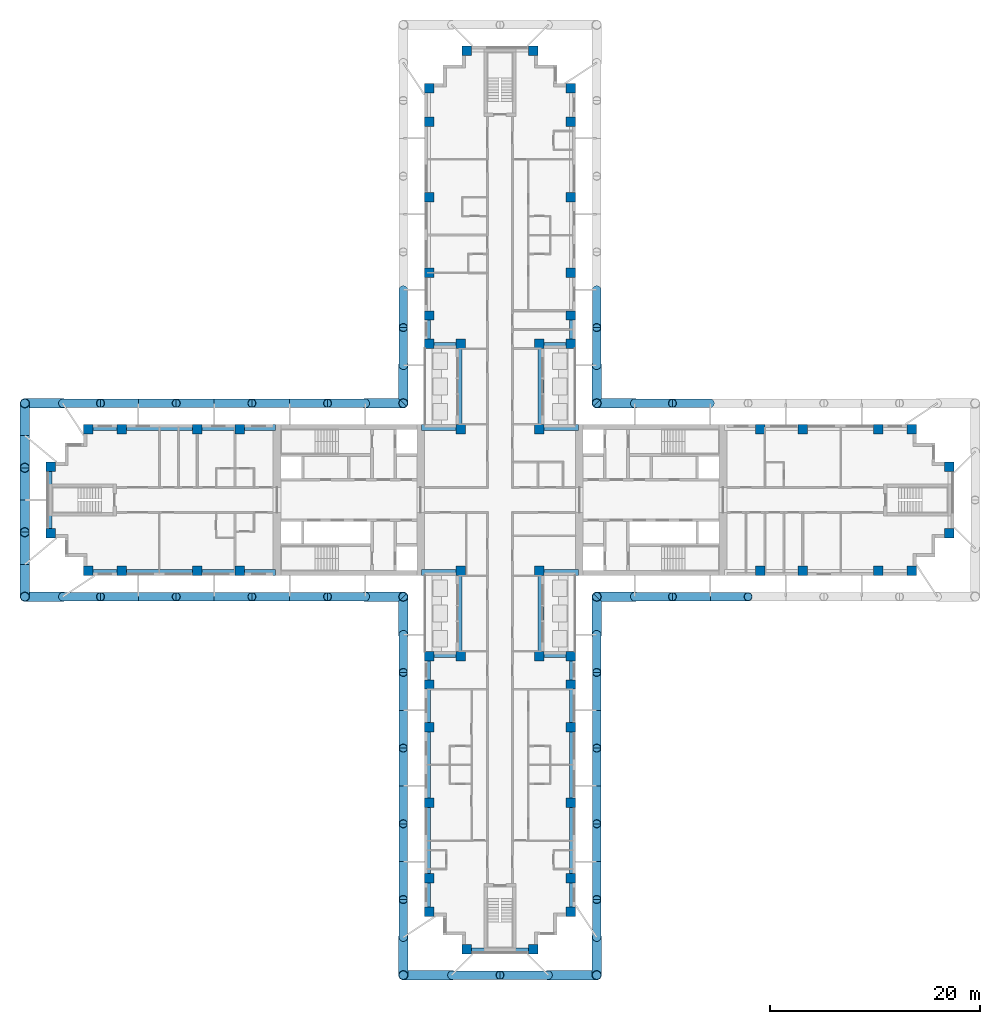
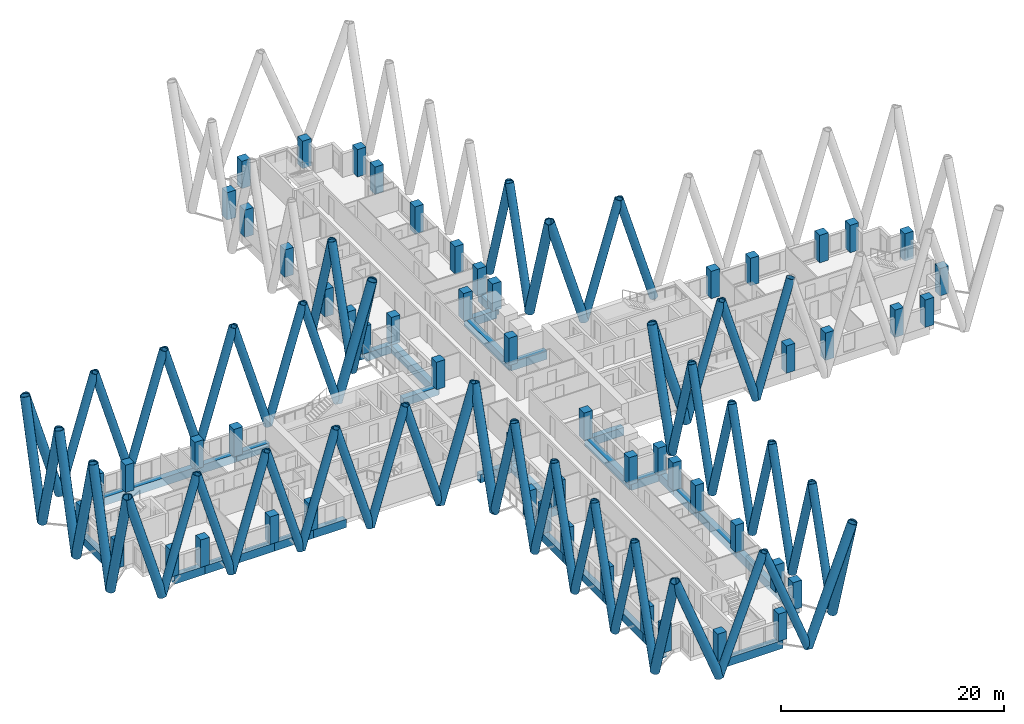
# One storey, part 1 of 16: 63 members, 56 columns, 34 beams.
"""IFC4 building model written with IfcOpenShell, lengths in metres."""

import ifcopenshell
import ifcopenshell.guid

model = None  # the IFC model being written
_history = None  # IfcOwnerHistory: only IFC2X3 demands one
_inside = {}  # id of a spatial element -> (the spatial element, [elements in it])
_under = {}  # id of a project, library or spatial element -> (it, [spatial elements below it])
_declared = {}  # id of a project -> (the project, [libraries it declares])
_typed = {}  # id of a type object -> (the type object, [elements of that type])
_made_of = {}  # id of a material, layer set ... -> (it, [elements and type objects made of it])


def new_model(schema):
    """Start an empty IFC model of exactly this schema.

    Asked for "IFC4X3", IfcOpenShell would pick the latest addendum, in which some entities
    have other attributes; the version numbers below select the first issue.
    IFC2X3 requires an IfcOwnerHistory on every rooted entity: one is made here for all.
    """
    global model, _history
    if schema == "IFC4X3":
        model = ifcopenshell.file(schema_version=(4, 3, 0, 0))
    else:
        model = ifcopenshell.file(schema=schema)
    _inside.clear()
    _under.clear()
    _declared.clear()
    _typed.clear()
    _made_of.clear()
    _history = None
    if model.schema == "IFC2X3":
        org = make("IfcOrganization", Name="unknown")
        user = make(
            "IfcPersonAndOrganization",
            ThePerson=make("IfcPerson", FamilyName="unknown"),
            TheOrganization=org,
        )
        app = make(
            "IfcApplication",
            ApplicationDeveloper=org,
            Version="unknown",
            ApplicationFullName="unknown",
            ApplicationIdentifier="unknown",
        )
        _history = make(
            "IfcOwnerHistory",
            OwningUser=user,
            OwningApplication=app,
            ChangeAction="ADDED",
            CreationDate=0,
        )
    return model


def make(cls, **values):
    """One entity of the class cls with the attributes given. An attribute that is None is left unset."""
    return model.create_entity(
        cls, **{name: value for name, value in values.items() if value is not None}
    )


def rooted(cls, **values):
    """An entity with a GlobalId (a new one), such as an element, a storey or a relation."""
    return make(cls, GlobalId=ifcopenshell.guid.new(), OwnerHistory=_history, **values)


def si_unit(unit_type, name, prefix=None):
    """IfcSIUnit, for example si_unit("LENGTHUNIT", "METRE", prefix="MILLI")."""
    return make("IfcSIUnit", UnitType=unit_type, Prefix=prefix, Name=name)


def assignment(units):
    """IfcUnitAssignment: the units of a project."""
    return None if units is None else make("IfcUnitAssignment", Units=units)


def point(xyz):
    """IfcCartesianPoint."""
    return None if xyz is None else make("IfcCartesianPoint", Coordinates=xyz)


def direction(xyz):
    """IfcDirection."""
    return None if xyz is None else make("IfcDirection", DirectionRatios=xyz)


def frame(location, z_axis=None, x_axis=None):
    """IfcAxis2Placement3D, a coordinate frame: its origin and axes. An axis left out is left unset."""
    return make(
        "IfcAxis2Placement3D",
        Location=point(location),
        Axis=direction(z_axis),
        RefDirection=direction(x_axis),
    )


def frame_2d(location, x_axis=None):
    """IfcAxis2Placement2D, a coordinate frame in the plane: its origin and x axis."""
    return make(
        "IfcAxis2Placement2D", Location=point(location), RefDirection=direction(x_axis)
    )


def origin():
    """The frame at (0, 0, 0) with its axes left unset."""
    return frame((0.0, 0.0, 0.0))


def origin_2d():
    """The frame at (0, 0) in the plane with its x axis left unset."""
    return frame_2d((0.0, 0.0))


def place(relative_to, where):
    """IfcLocalPlacement: puts the frame where relative to a parent placement (None: the world)."""
    return make(
        "IfcLocalPlacement", PlacementRelTo=relative_to, RelativePlacement=where
    )


def context(
    kind, dimensions, precision=None, world=None, true_north=None, identifier=None
):
    """IfcGeometricRepresentationContext, for example the 3D "Model" context."""
    return make(
        "IfcGeometricRepresentationContext",
        ContextIdentifier=identifier,
        ContextType=kind,
        CoordinateSpaceDimension=dimensions,
        Precision=precision,
        WorldCoordinateSystem=world,
        TrueNorth=true_north,
    )


def subcontext(parent, identifier, kind, view, scale=None):
    """IfcGeometricRepresentationSubContext, for example "Body" below "Model"."""
    return make(
        "IfcGeometricRepresentationSubContext",
        ContextIdentifier=identifier,
        ContextType=kind,
        ParentContext=parent,
        TargetScale=scale,
        TargetView=view,
    )


def project(units=None, contexts=None):
    """IfcProject with its units and contexts."""
    return rooted(
        "IfcProject",
        Name="project",
        RepresentationContexts=contexts,
        UnitsInContext=assignment(units),
    )


def spatial(cls, under=None, at=None, **own):
    """A site, building, storey or space (cls), placed at a placement, below another one or the project."""
    s = rooted(cls, ObjectPlacement=at, **own)
    if under is not None:
        _under.setdefault(under.id(), (under, []))[1].append(s)
    return s


def profile(cls, at=None, kind="AREA", **sizes):
    """A parametric profile (cls). Its sizes go by their IFC names, for example OverallWidth=200.0."""
    return make(cls, ProfileType=kind, Position=at, **sizes)


def rectangle(**sizes):
    """IfcRectangleProfileDef."""
    return profile("IfcRectangleProfileDef", **sizes)


def hollow_circle(**sizes):
    """IfcCircleHollowProfileDef."""
    return profile("IfcCircleHollowProfileDef", **sizes)


def extrude(swept, where, along, depth):
    """IfcExtrudedAreaSolid: the profile swept, set in the frame where, extruded along a direction by depth."""
    return make(
        "IfcExtrudedAreaSolid",
        SweptArea=swept,
        Position=where,
        ExtrudedDirection=direction(along),
        Depth=depth,
    )


def shape(context_of_items, identifier, shape_type, items):
    """IfcShapeRepresentation: the items that make up one representation, for example the "Body"."""
    return make(
        "IfcShapeRepresentation",
        ContextOfItems=context_of_items,
        RepresentationIdentifier=identifier,
        RepresentationType=shape_type,
        Items=items,
    )


def material(Name=None, Category=None):
    """IfcMaterial."""
    return make("IfcMaterial", Name=Name, Category=Category)


def material_profile(
    of_material, cross_section, Name=None, Category=None, Priority=None
):
    """IfcMaterialProfile: a cross section and its material."""
    return make(
        "IfcMaterialProfile",
        Name=Name,
        Material=of_material,
        Profile=cross_section,
        Priority=Priority,
        Category=Category,
    )


def profile_set(profiles, Name=None, composite=None):
    """IfcMaterialProfileSet."""
    return make(
        "IfcMaterialProfileSet",
        Name=Name,
        MaterialProfiles=profiles,
        CompositeProfile=composite,
    )


def made_of(thing, what):
    """Note that an element or type object is made of a material, layer set ...; save() writes the relation."""
    if what is not None:
        _made_of.setdefault(what.id(), (what, []))[1].append(thing)
    return thing


def type_object(cls, material=None, **own):
    """A type object (cls), such as IfcWallType, which elements share."""
    return made_of(rooted(cls, **own), material)


def element(
    cls,
    number,
    at=None,
    inside=None,
    cuts=None,
    type_object=None,
    material=None,
    context=None,
    identifier="Body",
    shape_type=None,
    held_by="IfcProductDefinitionShape",
    body=None,
    shapes=None,
    **own,
):
    """One element of the class cls, such as IfcWall. Its Tag is "e" and its number.

    at: its placement. inside: the storey or other place that contains it. cuts: it is an
    opening in that element (IfcRelVoidsElement). A single representation is given by context,
    identifier, shape_type and body (its items); several are given by shapes. held_by: the class
    of the entity that holds the representations. save() writes the other relations.
    """
    e = rooted(cls, Tag="e%d" % number, ObjectPlacement=at, **own)
    if body is not None:
        shapes = [shape(context, identifier, shape_type, body)]
    if shapes is not None:
        e.Representation = make(held_by, Representations=shapes)
    if inside is not None:
        _inside.setdefault(inside.id(), (inside, []))[1].append(e)
    if cuts is not None:
        rooted(
            "IfcRelVoidsElement", RelatingBuildingElement=cuts, RelatedOpeningElement=e
        )
    if type_object is not None:
        _typed.setdefault(type_object.id(), (type_object, []))[1].append(e)
    return made_of(e, material)


def aggregate(whole, parts):
    """IfcRelAggregates: a whole, such as a stair, and the parts it consists of."""
    return rooted("IfcRelAggregates", RelatingObject=whole, RelatedObjects=parts)


def save(model, path):
    """Write the relations noted so far, then the file.

    IfcRelAggregates (storeys below a building ...), IfcRelContainedInSpatialStructure (elements
    in a storey), IfcRelDefinesByType, IfcRelAssociatesMaterial and IfcRelDeclares: one each for
    every whole, place, type object, material and project.
    """
    for whole, parts in _under.values():
        aggregate(whole, parts)
    for where, things in _inside.values():
        rooted(
            "IfcRelContainedInSpatialStructure",
            RelatedElements=things,
            RelatingStructure=where,
        )
    for kind, things in _typed.values():
        rooted("IfcRelDefinesByType", RelatedObjects=things, RelatingType=kind)
    for what, things in _made_of.values():
        rooted("IfcRelAssociatesMaterial", RelatedObjects=things, RelatingMaterial=what)
    for by, libraries in _declared.values():
        rooted("IfcRelDeclares", RelatingContext=by, RelatedDefinitions=libraries)
    model.write(path)


model = new_model("IFC4")

# Units and contexts
model_context = context("Model", 3, precision=1e-05, world=origin(), true_north=direction((0.0, 1.0)))
body_context = subcontext(model_context, "Body", "Model", "MODEL_VIEW")
ifc_project = project(units=[si_unit("LENGTHUNIT", "METRE"), si_unit("AREAUNIT", "SQUARE_METRE"), si_unit("VOLUMEUNIT", "CUBIC_METRE"), si_unit("PLANEANGLEUNIT", "RADIAN"), si_unit("MASSUNIT", "GRAM", prefix="KILO")], contexts=[model_context])

# Site, building, storey
site_placement = place(None, origin())
site = spatial("IfcSite", under=ifc_project, at=site_placement, CompositionType="ELEMENT")
building_placement = place(site_placement, origin())
building = spatial("IfcBuilding", under=site, at=building_placement, Name="Fustian Cross Tower", CompositionType="ELEMENT")
storey_placement = place(building_placement, frame((0.0, 0.0, 44.699951171875)))
storey = spatial("IfcBuildingStorey", under=building, at=storey_placement, Name="L13", CompositionType="ELEMENT", Elevation=44.699951171875)

# Columns
ifc_material_1 = material(Name="Concrete C70/85", Category="concrete")
ifc_material_profile_1 = material_profile(ifc_material_1, rectangle(XDim=0.89990234375, YDim=0.89990234375, at=origin_2d()), Name="RC 900x900")
ifc_profile_set_1 = profile_set([ifc_material_profile_1], Name="Concrete C70/85")
column_type = type_object("IfcColumnType", Name="COLUMN RC 900x900 C70/85", PredefinedType="COLUMN", material=ifc_profile_set_1)
for number, where, z_axis, x_axis, name in (
    (1, (-42.75, -3.14990234375, 0.0), (0.0, 0.0, 1.0), (1.0, 0.0, 0.0), "COLUMN 001"),
    (2, (-42.75, 3.14990234375, 0.0), (0.0, 0.0, 1.0), (1.0, 0.0, 0.0), "COLUMN 002"),
    (3, (-39.14990234375, -6.75, 0.0), (0.0, 0.0, 1.0), (1.0, 0.0, 0.0), "COLUMN 003"),
    (4, (-39.14990234375, 6.75, 0.0), (0.0, 0.0, 1.0), (1.0, 0.0, 0.0), "COLUMN 004"),
    (5, (-36.0, -6.75, 0.0), (0.0, 0.0, 1.0), (1.0, 0.0, 0.0), "COLUMN 005"),
    (6, (-36.0, 6.75, 0.0), (0.0, 0.0, 1.0), (1.0, 0.0, 0.0), "COLUMN 006"),
    (7, (-28.800048828125, -6.75, 0.0), (0.0, 0.0, 1.0), (1.0, 0.0, 0.0), "COLUMN 007"),
    (8, (-28.800048828125, 6.75, 0.0), (0.0, 0.0, 1.0), (1.0, 0.0, 0.0), "COLUMN 010"),
    (9, (-24.75, -6.75, 0.0), (0.0, 0.0, 1.0), (1.0, 0.0, 0.0), "COLUMN 011"),
    (10, (-24.75, 6.75, 0.0), (0.0, 0.0, 1.0), (1.0, 0.0, 0.0), "COLUMN 012"),
    (11, (-6.75, -39.14990234375, 0.0), (0.0, 0.0, 1.0), (1.0, 0.0, 0.0), "COLUMN 013"),
    (12, (-6.75, -36.0, 0.0), (0.0, 0.0, 1.0), (1.0, 0.0, 0.0), "COLUMN 014"),
    (13, (-6.75, -28.800048828125, 0.0), (0.0, 0.0, 1.0), (1.0, 0.0, 0.0), "COLUMN 015"),
    (14, (-6.75, -21.60009765625, 0.0), (0.0, 0.0, 1.0), (1.0, 0.0, 0.0), "COLUMN 016"),
    (15, (-6.75, -17.550048828125, 0.0), (0.0, 0.0, 1.0), (1.0, 0.0, 0.0), "COLUMN 017"),
    (16, (-6.75, -14.85009765625, 0.0), (0.0, 0.0, 1.0), (1.0, 0.0, 0.0), "COLUMN 018"),
    (17, (-6.75, 14.85009765625, 0.0), (0.0, 0.0, 1.0), (1.0, 0.0, 0.0), "COLUMN 019"),
    (18, (-6.75, 17.550048828125, 0.0), (0.0, 0.0, 1.0), (1.0, 0.0, 0.0), "COLUMN 020"),
    (19, (-6.75, 21.60009765625, 0.0), (0.0, 0.0, 1.0), (1.0, 0.0, 0.0), "COLUMN 021"),
    (20, (-6.75, 28.800048828125, 0.0), (0.0, 0.0, 1.0), (1.0, 0.0, 0.0), "COLUMN 022"),
    (21, (-6.75, 36.0, 0.0), (0.0, 0.0, 1.0), (1.0, 0.0, 0.0), "COLUMN 023"),
    (22, (-6.75, 39.14990234375, 0.0), (0.0, 0.0, 1.0), (1.0, 0.0, 0.0), "COLUMN 024"),
    (23, (-3.75, -14.85009765625, 0.0), (0.0, 0.0, 1.0), (1.0, 0.0, 0.0), "COLUMN 025"),
    (24, (-3.75, -6.75, 0.0), (0.0, 0.0, 1.0), (1.0, 0.0, 0.0), "COLUMN 026"),
    (25, (-3.75, 6.75, 0.0), (0.0, 0.0, 1.0), (1.0, 0.0, 0.0), "COLUMN 027"),
    (26, (-3.75, 14.85009765625, 0.0), (0.0, 0.0, 1.0), (1.0, 0.0, 0.0), "COLUMN 028"),
    (27, (-3.14990234375, -42.75, 0.0), (0.0, 0.0, 1.0), (1.0, 0.0, 0.0), "COLUMN 029"),
    (28, (-3.14990234375, 42.75, 0.0), (0.0, 0.0, 1.0), (1.0, 0.0, 0.0), "COLUMN 032"),
    (29, (3.14990234375, -42.75, 0.0), (0.0, 0.0, 1.0), (1.0, 0.0, 0.0), "COLUMN 033"),
    (30, (3.14990234375, 42.75, 0.0), (0.0, 0.0, 1.0), (1.0, 0.0, 0.0), "COLUMN 036"),
    (31, (3.75, -14.85009765625, 0.0), (0.0, 0.0, 1.0), (1.0, 0.0, 0.0), "COLUMN 037"),
    (32, (3.75, -6.75, 0.0), (0.0, 0.0, 1.0), (1.0, 0.0, 0.0), "COLUMN 038"),
    (33, (3.75, 6.75, 0.0), (0.0, 0.0, 1.0), (1.0, 0.0, 0.0), "COLUMN 039"),
    (34, (3.75, 14.85009765625, 0.0), (0.0, 0.0, 1.0), (1.0, 0.0, 0.0), "COLUMN 040"),
    (35, (6.75, -39.14990234375, 0.0), (0.0, 0.0, 1.0), (1.0, 0.0, 0.0), "COLUMN 041"),
    (36, (6.75, -36.0, 0.0), (0.0, 0.0, 1.0), (1.0, 0.0, 0.0), "COLUMN 042"),
    (37, (6.75, -28.800048828125, 0.0), (0.0, 0.0, 1.0), (1.0, 0.0, 0.0), "COLUMN 043"),
    (38, (6.75, -21.60009765625, 0.0), (0.0, 0.0, 1.0), (1.0, 0.0, 0.0), "COLUMN 044"),
    (39, (6.75, -17.550048828125, 0.0), (0.0, 0.0, 1.0), (1.0, 0.0, 0.0), "COLUMN 045"),
    (40, (6.75, -14.85009765625, 0.0), (0.0, 0.0, 1.0), (1.0, 0.0, 0.0), "COLUMN 046"),
    (41, (6.75, 14.85009765625, 0.0), (0.0, 0.0, 1.0), (1.0, 0.0, 0.0), "COLUMN 047"),
    (42, (6.75, 17.550048828125, 0.0), (0.0, 0.0, 1.0), (1.0, 0.0, 0.0), "COLUMN 048"),
    (43, (6.75, 21.60009765625, 0.0), (0.0, 0.0, 1.0), (1.0, 0.0, 0.0), "COLUMN 049"),
    (44, (6.75, 28.800048828125, 0.0), (0.0, 0.0, 1.0), (1.0, 0.0, 0.0), "COLUMN 050"),
    (45, (6.75, 36.0, 0.0), (0.0, 0.0, 1.0), (1.0, 0.0, 0.0), "COLUMN 051"),
    (46, (6.75, 39.14990234375, 0.0), (0.0, 0.0, 1.0), (1.0, 0.0, 0.0), "COLUMN 052"),
    (47, (24.75, -6.75, 0.0), (0.0, 0.0, 1.0), (1.0, 0.0, 0.0), "COLUMN 053"),
    (48, (24.75, 6.75, 0.0), (0.0, 0.0, 1.0), (1.0, 0.0, 0.0), "COLUMN 054"),
    (49, (28.800048828125, -6.75, 0.0), (0.0, 0.0, 1.0), (1.0, 0.0, 0.0), "COLUMN 055"),
    (50, (28.800048828125, 6.75, 0.0), (0.0, 0.0, 1.0), (1.0, 0.0, 0.0), "COLUMN 058"),
    (51, (36.0, -6.75, 0.0), (0.0, 0.0, 1.0), (1.0, 0.0, 0.0), "COLUMN 059"),
    (52, (36.0, 6.75, 0.0), (0.0, 0.0, 1.0), (1.0, 0.0, 0.0), "COLUMN 060"),
    (53, (39.14990234375, -6.75, 0.0), (0.0, 0.0, 1.0), (1.0, 0.0, 0.0), "COLUMN 061"),
    (54, (39.14990234375, 6.75, 0.0), (0.0, 0.0, 1.0), (1.0, 0.0, 0.0), "COLUMN 062"),
    (55, (42.75, -3.14990234375, 0.0), (0.0, 0.0, 1.0), (1.0, 0.0, 0.0), "COLUMN 063"),
    (56, (42.75, 3.14990234375, 0.0), (0.0, 0.0, 1.0), (1.0, 0.0, 0.0), "COLUMN 064"),
):
    element("IfcColumn", number, at=place(storey_placement, frame(where, z_axis=z_axis, x_axis=x_axis)), inside=storey, type_object=column_type, Name=name, PredefinedType="COLUMN", context=body_context, shape_type="SweptSolid", body=[
        extrude(rectangle(XDim=0.89990234375, YDim=0.89990234375, at=origin_2d()), origin(), (0.0, 0.0, 1.0), 3.0),
    ])

# Members
ifc_material_2 = material(Name="Steel S355", Category="steel")
ifc_material_profile_2 = material_profile(ifc_material_2, hollow_circle(Radius=0.406494140625, WallThickness=0.0400390625, at=origin_2d()), Name="CHS 813x40")
ifc_profile_set_2 = profile_set([ifc_material_profile_2], Name="Steel S355")
member_type_1 = type_object("IfcMemberType", Name="DIAGRID DIAGONAL CHS 813x40", PredefinedType="BRACE", material=ifc_profile_set_2)
for number, where, z_axis, x_axis, name in (
    (57, (12.800048828125, -9.199951171875, 0.0), (0.287337158709, 0.0, 0.957829503213), (0.0, 1.0, 0.0), "Diagrid diagonal E-S 02"),
    (58, (20.0, -9.199951171875, 0.0), (-0.287355036744, 0.0, 0.957824139839), (0.0, -1.0, 0.0), "Diagrid diagonal E-S 03"),
    (59, (20.0, -9.199951171875, 0.0), (0.287355036744, 0.0, 0.957824139839), (0.0, 1.0, 0.0), "Diagrid diagonal E-S 04"),
    (60, (20.0, 9.199951171875, 0.0), (-0.287355036744, 0.0, 0.957824139839), (0.0, -1.0, 0.0), "Diagrid diagonal E-N 08"),
    (61, (12.800048828125, 9.199951171875, 0.0), (0.287337158709, 0.0, 0.957829503213), (0.0, 1.0, 0.0), "Diagrid diagonal E-N 09"),
    (62, (9.199951171875, 12.800048828125, 0.0), (0.0, 0.287337158709, 0.957829503213), (-1.0, 0.0, 0.0), "Diagrid diagonal N-E 02"),
    (63, (9.199951171875, 20.0, 0.0), (0.0, -0.287355036744, 0.957824139839), (1.0, 0.0, 0.0), "Diagrid diagonal N-E 03"),
    (64, (-9.199951171875, 20.0, 0.0), (0.0, -0.287355036744, 0.957824139839), (1.0, 0.0, 0.0), "Diagrid diagonal N-W 08"),
    (65, (-9.199951171875, 12.800048828125, 0.0), (0.0, 0.287337158709, 0.957829503213), (-1.0, 0.0, 0.0), "Diagrid diagonal N-W 09"),
    (66, (-12.800048828125, 9.199951171875, 0.0), (-0.287337158709, 0.0, 0.957829503213), (0.0, -1.0, 0.0), "Diagrid diagonal W-N 02"),
    (67, (-20.0, 9.199951171875, 0.0), (0.287355036744, 0.0, 0.957824139839), (0.0, 1.0, 0.0), "Diagrid diagonal W-N 03"),
    (68, (-20.0, 9.199951171875, 0.0), (-0.287355036744, 0.0, 0.957824139839), (0.0, -1.0, 0.0), "Diagrid diagonal W-N 04"),
    (69, (-27.199951171875, 9.199951171875, 0.0), (0.287337158709, 0.0, 0.957829503213), (0.0, 1.0, 0.0), "Diagrid diagonal W-N 05"),
    (70, (-27.199951171875, 9.199951171875, 0.0), (-0.287355036744, 0.0, 0.957824139839), (0.0, -1.0, 0.0), "Diagrid diagonal W-N 06"),
    (71, (-34.39990234375, 9.199951171875, 0.0), (0.287337158709, 0.0, 0.957829503213), (0.0, 1.0, 0.0), "Diagrid diagonal W-N 07"),
    (72, (-34.39990234375, 9.199951171875, 0.0), (-0.287355036744, 0.0, 0.957824139839), (0.0, -1.0, 0.0), "Diagrid diagonal W-N 08"),
    (73, (-41.60009765625, 9.199951171875, 0.0), (0.287355036744, 0.0, 0.957824139839), (0.0, 1.0, 0.0), "Diagrid diagonal W-N 09"),
    (74, (-41.60009765625, -9.199951171875, 0.0), (0.287355036744, 0.0, 0.957824139839), (0.0, 1.0, 0.0), "Diagrid diagonal W-S 02"),
    (75, (-34.39990234375, -9.199951171875, 0.0), (-0.287355036744, 0.0, 0.957824139839), (0.0, -1.0, 0.0), "Diagrid diagonal W-S 03"),
    (76, (-34.39990234375, -9.199951171875, 0.0), (0.287337158709, 0.0, 0.957829503213), (0.0, 1.0, 0.0), "Diagrid diagonal W-S 04"),
    (77, (-27.199951171875, -9.199951171875, 0.0), (-0.287355036744, 0.0, 0.957824139839), (0.0, -1.0, 0.0), "Diagrid diagonal W-S 05"),
    (78, (-27.199951171875, -9.199951171875, 0.0), (0.287337158709, 0.0, 0.957829503213), (0.0, 1.0, 0.0), "Diagrid diagonal W-S 06"),
    (79, (-20.0, -9.199951171875, 0.0), (-0.287355036744, 0.0, 0.957824139839), (0.0, -1.0, 0.0), "Diagrid diagonal W-S 07"),
    (80, (-20.0, -9.199951171875, 0.0), (0.287355036744, 0.0, 0.957824139839), (0.0, 1.0, 0.0), "Diagrid diagonal W-S 08"),
    (81, (-12.800048828125, -9.199951171875, 0.0), (-0.287337158709, 0.0, 0.957829503213), (0.0, -1.0, 0.0), "Diagrid diagonal W-S 09"),
    (82, (-9.199951171875, -12.800048828125, 0.0), (0.0, -0.287337158709, 0.957829503213), (1.0, 0.0, 0.0), "Diagrid diagonal S-W 02"),
    (83, (-9.199951171875, -20.0, 0.0), (0.0, 0.287355036744, 0.957824139839), (-1.0, 0.0, 0.0), "Diagrid diagonal S-W 03"),
    (84, (-9.199951171875, -20.0, 0.0), (0.0, -0.287355036744, 0.957824139839), (1.0, 0.0, 0.0), "Diagrid diagonal S-W 04"),
    (85, (-9.199951171875, -27.199951171875, 0.0), (0.0, 0.287337158709, 0.957829503213), (-1.0, 0.0, 0.0), "Diagrid diagonal S-W 05"),
    (86, (-9.199951171875, -27.199951171875, 0.0), (0.0, -0.287355036744, 0.957824139839), (1.0, 0.0, 0.0), "Diagrid diagonal S-W 06"),
    (87, (-9.199951171875, -34.39990234375, 0.0), (0.0, 0.287337158709, 0.957829503213), (-1.0, 0.0, 0.0), "Diagrid diagonal S-W 07"),
    (88, (-9.199951171875, -34.39990234375, 0.0), (0.0, -0.287355036744, 0.957824139839), (1.0, 0.0, 0.0), "Diagrid diagonal S-W 08"),
    (89, (-9.199951171875, -41.60009765625, 0.0), (0.0, 0.287355036744, 0.957824139839), (-1.0, 0.0, 0.0), "Diagrid diagonal S-W 09"),
):
    element("IfcMember", number, at=place(storey_placement, frame(where, z_axis=z_axis, x_axis=x_axis)), inside=storey, type_object=member_type_1, Name=name, PredefinedType="BRACE", context=body_context, shape_type="SweptSolid", body=[
        extrude(hollow_circle(Radius=0.406494140625, WallThickness=0.0400390625, at=origin_2d()), origin(), (0.0, 0.0, 1.0), 12.5283203125),
    ])
for number, where, z_axis, x_axis, name in (
    (90, (-4.60009765625, -45.199951171875, 0.0), (0.3579426369, 0.0, 0.933743577589), (0.0, 1.0, 0.0), "Diagrid diagonal S-end 02"),
    (91, (4.60009765625, -45.199951171875, 0.0), (-0.3579426369, 0.0, 0.933743577589), (0.0, -1.0, 0.0), "Diagrid diagonal S-end 03"),
):
    element("IfcMember", number, at=place(storey_placement, frame(where, z_axis=z_axis, x_axis=x_axis)), inside=storey, type_object=member_type_1, Name=name, PredefinedType="BRACE", context=body_context, shape_type="SweptSolid", body=[
        extrude(hollow_circle(Radius=0.406494140625, WallThickness=0.0400390625, at=origin_2d()), origin(), (0.0, 0.0, 1.0), 12.8515625),
    ])
for number, where, z_axis, x_axis, name in (
    (92, (9.199951171875, -41.60009765625, 0.0), (0.0, 0.287355036744, 0.957824139839), (-1.0, 0.0, 0.0), "Diagrid diagonal S-E 02"),
    (93, (9.199951171875, -34.39990234375, 0.0), (0.0, -0.287355036744, 0.957824139839), (1.0, 0.0, 0.0), "Diagrid diagonal S-E 03"),
    (94, (9.199951171875, -34.39990234375, 0.0), (0.0, 0.287337158709, 0.957829503213), (-1.0, 0.0, 0.0), "Diagrid diagonal S-E 04"),
    (95, (9.199951171875, -27.199951171875, 0.0), (0.0, -0.287355036744, 0.957824139839), (1.0, 0.0, 0.0), "Diagrid diagonal S-E 05"),
    (96, (9.199951171875, -27.199951171875, 0.0), (0.0, 0.287337158709, 0.957829503213), (-1.0, 0.0, 0.0), "Diagrid diagonal S-E 06"),
    (97, (9.199951171875, -20.0, 0.0), (0.0, -0.287355036744, 0.957824139839), (1.0, 0.0, 0.0), "Diagrid diagonal S-E 07"),
    (98, (9.199951171875, -20.0, 0.0), (0.0, 0.287355036744, 0.957824139839), (-1.0, 0.0, 0.0), "Diagrid diagonal S-E 08"),
    (99, (9.199951171875, -12.800048828125, 0.0), (0.0, -0.287337158709, 0.957829503213), (1.0, 0.0, 0.0), "Diagrid diagonal S-E 09"),
):
    element("IfcMember", number, at=place(storey_placement, frame(where, z_axis=z_axis, x_axis=x_axis)), inside=storey, type_object=member_type_1, Name=name, PredefinedType="BRACE", context=body_context, shape_type="SweptSolid", body=[
        extrude(hollow_circle(Radius=0.406494140625, WallThickness=0.0400390625, at=origin_2d()), origin(), (0.0, 0.0, 1.0), 12.5283203125),
    ])
ifc_material_3 = material(Name="Steel S355", Category="steel")
ifc_material_profile_3 = material_profile(ifc_material_3, hollow_circle(Radius=0.457275390625, WallThickness=0.050048828125, at=origin_2d()), Name="CHS 914x50")
ifc_profile_set_3 = profile_set([ifc_material_profile_3], Name="Steel S355")
member_type_2 = type_object("IfcMemberType", Name="DIAGRID DIAGONAL CHS 914x50", PredefinedType="BRACE", material=ifc_profile_set_3)
for number, where, z_axis, x_axis, name in (
    (100, (12.800048828125, -9.199951171875, 0.0), (-0.287355036744, 0.0, 0.957824139839), (0.0, -1.0, 0.0), "Diagrid diagonal E-S 01"),
    (101, (12.800048828125, 9.199951171875, 0.0), (-0.287355036744, 0.0, 0.957824139839), (0.0, -1.0, 0.0), "Diagrid diagonal E-N 10"),
    (102, (9.199951171875, 12.800048828125, 0.0), (0.0, -0.287355036744, 0.957824139839), (1.0, 0.0, 0.0), "Diagrid diagonal N-E 01"),
    (103, (-9.199951171875, 12.800048828125, 0.0), (0.0, -0.287355036744, 0.957824139839), (1.0, 0.0, 0.0), "Diagrid diagonal N-W 10"),
    (104, (-12.800048828125, 9.199951171875, 0.0), (0.287355036744, 0.0, 0.957824139839), (0.0, 1.0, 0.0), "Diagrid diagonal W-N 01"),
    (105, (-41.60009765625, 9.199951171875, 0.0), (-0.287337158709, 0.0, 0.957829503213), (0.0, -1.0, 0.0), "Diagrid diagonal W-N 10"),
):
    element("IfcMember", number, at=place(storey_placement, frame(where, z_axis=z_axis, x_axis=x_axis)), inside=storey, type_object=member_type_2, Name=name, PredefinedType="BRACE", context=body_context, shape_type="SweptSolid", body=[
        extrude(hollow_circle(Radius=0.457275390625, WallThickness=0.050048828125, at=origin_2d()), origin(), (0.0, 0.0, 1.0), 12.5283203125),
    ])
for number, where, z_axis, x_axis, name in (
    (106, (-45.199951171875, 6.13330078125, 0.0), (0.0, 0.247597033967, 0.96886310115), (-1.0, 0.0, 0.0), "Diagrid diagonal W-end 01"),
    (107, (-45.199951171875, 6.13330078125, 0.0), (0.0, -0.247597033967, 0.96886310115), (1.0, 0.0, 0.0), "Diagrid diagonal W-end 02"),
    (108, (-45.199951171875, 0.0, 0.0), (0.0, 0.247597033967, 0.96886310115), (-1.0, 0.0, 0.0), "Diagrid diagonal W-end 03"),
    (109, (-45.199951171875, 0.0, 0.0), (0.0, -0.247597033967, 0.96886310115), (1.0, 0.0, 0.0), "Diagrid diagonal W-end 04"),
    (110, (-45.199951171875, -6.13330078125, 0.0), (0.0, 0.247597033967, 0.96886310115), (-1.0, 0.0, 0.0), "Diagrid diagonal W-end 05"),
    (111, (-45.199951171875, -6.13330078125, 0.0), (0.0, -0.247597033967, 0.96886310115), (1.0, 0.0, 0.0), "Diagrid diagonal W-end 06"),
):
    element("IfcMember", number, at=place(storey_placement, frame(where, z_axis=z_axis, x_axis=x_axis)), inside=storey, type_object=member_type_2, Name=name, PredefinedType="BRACE", context=body_context, shape_type="SweptSolid", body=[
        extrude(hollow_circle(Radius=0.457275390625, WallThickness=0.050048828125, at=origin_2d()), origin(), (0.0, 0.0, 1.0), 12.3857421875),
    ])
for number, where, z_axis, x_axis, name in (
    (112, (-41.60009765625, -9.199951171875, 0.0), (-0.287337158709, 0.0, 0.957829503213), (0.0, -1.0, 0.0), "Diagrid diagonal W-S 01"),
    (113, (-12.800048828125, -9.199951171875, 0.0), (0.287355036744, 0.0, 0.957824139839), (0.0, 1.0, 0.0), "Diagrid diagonal W-S 10"),
    (114, (-9.199951171875, -12.800048828125, 0.0), (0.0, 0.287355036744, 0.957824139839), (-1.0, 0.0, 0.0), "Diagrid diagonal S-W 01"),
    (115, (-9.199951171875, -41.60009765625, 0.0), (0.0, -0.287337158709, 0.957829503213), (1.0, 0.0, 0.0), "Diagrid diagonal S-W 10"),
):
    element("IfcMember", number, at=place(storey_placement, frame(where, z_axis=z_axis, x_axis=x_axis)), inside=storey, type_object=member_type_2, Name=name, PredefinedType="BRACE", context=body_context, shape_type="SweptSolid", body=[
        extrude(hollow_circle(Radius=0.457275390625, WallThickness=0.050048828125, at=origin_2d()), origin(), (0.0, 0.0, 1.0), 12.5283203125),
    ])
for number, where, z_axis, x_axis, name in (
    (116, (-4.60009765625, -45.199951171875, 0.0), (-0.357926073629, 0.0, 0.933749926809), (0.0, -1.0, 0.0), "Diagrid diagonal S-end 01"),
    (117, (4.60009765625, -45.199951171875, 0.0), (0.357926073629, 0.0, 0.933749926809), (0.0, 1.0, 0.0), "Diagrid diagonal S-end 04"),
):
    element("IfcMember", number, at=place(storey_placement, frame(where, z_axis=z_axis, x_axis=x_axis)), inside=storey, type_object=member_type_2, Name=name, PredefinedType="BRACE", context=body_context, shape_type="SweptSolid", body=[
        extrude(hollow_circle(Radius=0.457275390625, WallThickness=0.050048828125, at=origin_2d()), origin(), (0.0, 0.0, 1.0), 12.851318359375),
    ])
for number, where, z_axis, x_axis, name in (
    (118, (9.199951171875, -41.60009765625, 0.0), (0.0, -0.287337158709, 0.957829503213), (1.0, 0.0, 0.0), "Diagrid diagonal S-E 01"),
    (119, (9.199951171875, -12.800048828125, 0.0), (0.0, 0.287355036744, 0.957824139839), (-1.0, 0.0, 0.0), "Diagrid diagonal S-E 10"),
):
    element("IfcMember", number, at=place(storey_placement, frame(where, z_axis=z_axis, x_axis=x_axis)), inside=storey, type_object=member_type_2, Name=name, PredefinedType="BRACE", context=body_context, shape_type="SweptSolid", body=[
        extrude(hollow_circle(Radius=0.457275390625, WallThickness=0.050048828125, at=origin_2d()), origin(), (0.0, 0.0, 1.0), 12.5283203125),
    ])

# Beams
ifc_material_4 = material(Name="Concrete C50/60", Category="concrete")
ifc_material_profile_4 = material_profile(ifc_material_4, rectangle(XDim=0.60009765625, YDim=0.89990234375, at=origin_2d()), Name="RC 600x900")
ifc_profile_set_4 = profile_set([ifc_material_profile_4], Name="Concrete C50/60")
beam_type = type_object("IfcBeamType", Name="EDGE BEAM RC 600x900 C50/60", PredefinedType="SPANDREL", material=ifc_profile_set_4)
beam_1_placement = place(storey_placement, frame((7.449951171875, 6.89990234375, -0.449951171875), z_axis=(-1.0, 0.0, 0.0), x_axis=(0.0, -1.0, 0.0)))
element("IfcBeam", 120, at=beam_1_placement, inside=storey, type_object=beam_type, Name="EDGE BEAM L13-10", PredefinedType="SPANDREL", context=body_context, shape_type="SweptSolid", body=[
    extrude(rectangle(XDim=0.60009765625, YDim=0.89990234375, at=origin_2d()), origin(), (0.0, 0.0, 1.0), 3.699951171875),
])
beam_2_placement = place(storey_placement, frame((3.89990234375, 6.75, -0.449951171875), z_axis=(0.0, 1.0, 0.0), x_axis=(-1.0, 0.0, 0.0)))
element("IfcBeam", 121, at=beam_2_placement, inside=storey, type_object=beam_type, Name="EDGE BEAM L13-11", PredefinedType="SPANDREL", context=body_context, shape_type="SweptSolid", body=[
    extrude(rectangle(XDim=0.60009765625, YDim=0.89990234375, at=origin_2d()), origin(), (0.0, 0.0, 1.0), 8.10009765625),
])
beam_3_placement = place(storey_placement, frame((3.75, 14.699951171875, -0.449951171875), z_axis=(1.0, 0.0, 0.0), x_axis=(0.0, 1.0, 0.0)))
element("IfcBeam", 122, at=beam_3_placement, inside=storey, type_object=beam_type, Name="EDGE BEAM L13-12", PredefinedType="SPANDREL", context=body_context, shape_type="SweptSolid", body=[
    extrude(rectangle(XDim=0.60009765625, YDim=0.89990234375, at=origin_2d()), origin(), (0.0, 0.0, 1.0), 3.0),
])
for number, where, z_axis, x_axis, name in (
    (123, (6.89990234375, 14.85009765625, -0.449951171875), (0.0, 1.0, 0.0), (-1.0, 0.0, 0.0), "EDGE BEAM L13-13"),
    (124, (-6.89990234375, 17.550048828125, -0.449951171875), (0.0, -1.0, 0.0), (1.0, 0.0, 0.0), "EDGE BEAM L13-23"),
):
    element("IfcBeam", number, at=place(storey_placement, frame(where, z_axis=z_axis, x_axis=x_axis)), inside=storey, type_object=beam_type, Name=name, PredefinedType="SPANDREL", context=body_context, shape_type="SweptSolid", body=[
        extrude(rectangle(XDim=0.60009765625, YDim=0.89990234375, at=origin_2d()), origin(), (0.0, 0.0, 1.0), 2.699951171875),
    ])
beam_4_placement = place(storey_placement, frame((-6.75, 14.699951171875, -0.449951171875), z_axis=(1.0, 0.0, 0.0), x_axis=(0.0, 1.0, 0.0)))
element("IfcBeam", 125, at=beam_4_placement, inside=storey, type_object=beam_type, Name="EDGE BEAM L13-24", PredefinedType="SPANDREL", context=body_context, shape_type="SweptSolid", body=[
    extrude(rectangle(XDim=0.60009765625, YDim=0.89990234375, at=origin_2d()), origin(), (0.0, 0.0, 1.0), 3.0),
])
beam_5_placement = place(storey_placement, frame((-3.89990234375, 14.85009765625, -0.449951171875), z_axis=(0.0, -1.0, 0.0), x_axis=(1.0, 0.0, 0.0)))
element("IfcBeam", 126, at=beam_5_placement, inside=storey, type_object=beam_type, Name="EDGE BEAM L13-25", PredefinedType="SPANDREL", context=body_context, shape_type="SweptSolid", body=[
    extrude(rectangle(XDim=0.60009765625, YDim=0.89990234375, at=origin_2d()), origin(), (0.0, 0.0, 1.0), 8.10009765625),
])
beam_6_placement = place(storey_placement, frame((-3.75, 6.89990234375, -0.449951171875), z_axis=(-1.0, 0.0, 0.0), x_axis=(0.0, -1.0, 0.0)))
element("IfcBeam", 127, at=beam_6_placement, inside=storey, type_object=beam_type, Name="EDGE BEAM L13-26", PredefinedType="SPANDREL", context=body_context, shape_type="SweptSolid", body=[
    extrude(rectangle(XDim=0.60009765625, YDim=0.89990234375, at=origin_2d()), origin(), (0.0, 0.0, 1.0), 3.699951171875),
])
beam_7_placement = place(storey_placement, frame((-21.35009765625, 6.89990234375, -0.449951171875), z_axis=(-1.0, 0.0, 0.0), x_axis=(0.0, -1.0, 0.0)))
element("IfcBeam", 128, at=beam_7_placement, inside=storey, type_object=beam_type, Name="EDGE BEAM L13-27", PredefinedType="SPANDREL", context=body_context, shape_type="SweptSolid", body=[
    extrude(rectangle(XDim=0.60009765625, YDim=0.89990234375, at=origin_2d()), origin(), (0.0, 0.0, 1.0), 3.39990234375),
])
beam_8_placement = place(storey_placement, frame((-24.75, 6.89990234375, -0.449951171875), z_axis=(-1.0, 0.0, 0.0), x_axis=(0.0, -1.0, 0.0)))
element("IfcBeam", 129, at=beam_8_placement, inside=storey, type_object=beam_type, Name="EDGE BEAM L13-28", PredefinedType="SPANDREL", context=body_context, shape_type="SweptSolid", body=[
    extrude(rectangle(XDim=0.60009765625, YDim=0.89990234375, at=origin_2d()), origin(), (0.0, 0.0, 1.0), 4.050048828125),
])
beam_9_placement = place(storey_placement, frame((-28.800048828125, 6.89990234375, -0.449951171875), z_axis=(-1.0, 0.0, 0.0), x_axis=(0.0, -1.0, 0.0)))
element("IfcBeam", 130, at=beam_9_placement, inside=storey, type_object=beam_type, Name="EDGE BEAM L13-29", PredefinedType="SPANDREL", context=body_context, shape_type="SweptSolid", body=[
    extrude(rectangle(XDim=0.60009765625, YDim=0.89990234375, at=origin_2d()), origin(), (0.0, 0.0, 1.0), 7.199951171875),
])
beam_10_placement = place(storey_placement, frame((-36.0, 6.89990234375, -0.449951171875), z_axis=(-1.0, 0.0, 0.0), x_axis=(0.0, -1.0, 0.0)))
element("IfcBeam", 131, at=beam_10_placement, inside=storey, type_object=beam_type, Name="EDGE BEAM L13-30", PredefinedType="SPANDREL", context=body_context, shape_type="SweptSolid", body=[
    extrude(rectangle(XDim=0.60009765625, YDim=0.89990234375, at=origin_2d()), origin(), (0.0, 0.0, 1.0), 3.14990234375),
])
beam_11_placement = place(storey_placement, frame((-42.89990234375, 3.14990234375, -0.449951171875), z_axis=(0.0, -1.0, 0.0), x_axis=(1.0, 0.0, 0.0)))
element("IfcBeam", 132, at=beam_11_placement, inside=storey, type_object=beam_type, Name="EDGE BEAM L13-31", PredefinedType="SPANDREL", context=body_context, shape_type="SweptSolid", body=[
    extrude(rectangle(XDim=0.60009765625, YDim=0.89990234375, at=origin_2d()), origin(), (0.0, 0.0, 1.0), 6.2998046875),
])
beam_12_placement = place(storey_placement, frame((-39.14990234375, -6.89990234375, -0.449951171875), z_axis=(1.0, 0.0, 0.0), x_axis=(0.0, 1.0, 0.0)))
element("IfcBeam", 133, at=beam_12_placement, inside=storey, type_object=beam_type, Name="EDGE BEAM L13-32", PredefinedType="SPANDREL", context=body_context, shape_type="SweptSolid", body=[
    extrude(rectangle(XDim=0.60009765625, YDim=0.89990234375, at=origin_2d()), origin(), (0.0, 0.0, 1.0), 3.14990234375),
])
beam_13_placement = place(storey_placement, frame((-36.0, -6.89990234375, -0.449951171875), z_axis=(1.0, 0.0, 0.0), x_axis=(0.0, 1.0, 0.0)))
element("IfcBeam", 134, at=beam_13_placement, inside=storey, type_object=beam_type, Name="EDGE BEAM L13-33", PredefinedType="SPANDREL", context=body_context, shape_type="SweptSolid", body=[
    extrude(rectangle(XDim=0.60009765625, YDim=0.89990234375, at=origin_2d()), origin(), (0.0, 0.0, 1.0), 7.199951171875),
])
beam_14_placement = place(storey_placement, frame((-28.800048828125, -6.89990234375, -0.449951171875), z_axis=(1.0, 0.0, 0.0), x_axis=(0.0, 1.0, 0.0)))
element("IfcBeam", 135, at=beam_14_placement, inside=storey, type_object=beam_type, Name="EDGE BEAM L13-34", PredefinedType="SPANDREL", context=body_context, shape_type="SweptSolid", body=[
    extrude(rectangle(XDim=0.60009765625, YDim=0.89990234375, at=origin_2d()), origin(), (0.0, 0.0, 1.0), 4.050048828125),
])
beam_15_placement = place(storey_placement, frame((-24.75, -6.89990234375, -0.449951171875), z_axis=(1.0, 0.0, 0.0), x_axis=(0.0, 1.0, 0.0)))
element("IfcBeam", 136, at=beam_15_placement, inside=storey, type_object=beam_type, Name="EDGE BEAM L13-35", PredefinedType="SPANDREL", context=body_context, shape_type="SweptSolid", body=[
    extrude(rectangle(XDim=0.60009765625, YDim=0.89990234375, at=origin_2d()), origin(), (0.0, 0.0, 1.0), 3.39990234375),
])
beam_16_placement = place(storey_placement, frame((-7.449951171875, -6.89990234375, -0.449951171875), z_axis=(1.0, 0.0, 0.0), x_axis=(0.0, 1.0, 0.0)))
element("IfcBeam", 137, at=beam_16_placement, inside=storey, type_object=beam_type, Name="EDGE BEAM L13-36", PredefinedType="SPANDREL", context=body_context, shape_type="SweptSolid", body=[
    extrude(rectangle(XDim=0.60009765625, YDim=0.89990234375, at=origin_2d()), origin(), (0.0, 0.0, 1.0), 3.699951171875),
])
beam_17_placement = place(storey_placement, frame((-3.89990234375, -6.75, -0.449951171875), z_axis=(0.0, -1.0, 0.0), x_axis=(1.0, 0.0, 0.0)))
element("IfcBeam", 138, at=beam_17_placement, inside=storey, type_object=beam_type, Name="EDGE BEAM L13-37", PredefinedType="SPANDREL", context=body_context, shape_type="SweptSolid", body=[
    extrude(rectangle(XDim=0.60009765625, YDim=0.89990234375, at=origin_2d()), origin(), (0.0, 0.0, 1.0), 8.10009765625),
])
beam_18_placement = place(storey_placement, frame((-3.75, -14.699951171875, -0.449951171875), z_axis=(-1.0, 0.0, 0.0), x_axis=(0.0, -1.0, 0.0)))
element("IfcBeam", 139, at=beam_18_placement, inside=storey, type_object=beam_type, Name="EDGE BEAM L13-38", PredefinedType="SPANDREL", context=body_context, shape_type="SweptSolid", body=[
    extrude(rectangle(XDim=0.60009765625, YDim=0.89990234375, at=origin_2d()), origin(), (0.0, 0.0, 1.0), 3.0),
])
beam_19_placement = place(storey_placement, frame((-6.89990234375, -14.85009765625, -0.449951171875), z_axis=(0.0, -1.0, 0.0), x_axis=(1.0, 0.0, 0.0)))
element("IfcBeam", 140, at=beam_19_placement, inside=storey, type_object=beam_type, Name="EDGE BEAM L13-39", PredefinedType="SPANDREL", context=body_context, shape_type="SweptSolid", body=[
    extrude(rectangle(XDim=0.60009765625, YDim=0.89990234375, at=origin_2d()), origin(), (0.0, 0.0, 1.0), 2.699951171875),
])
beam_20_placement = place(storey_placement, frame((-6.89990234375, -17.550048828125, -0.449951171875), z_axis=(0.0, -1.0, 0.0), x_axis=(1.0, 0.0, 0.0)))
element("IfcBeam", 141, at=beam_20_placement, inside=storey, type_object=beam_type, Name="EDGE BEAM L13-40", PredefinedType="SPANDREL", context=body_context, shape_type="SweptSolid", body=[
    extrude(rectangle(XDim=0.60009765625, YDim=0.89990234375, at=origin_2d()), origin(), (0.0, 0.0, 1.0), 4.050048828125),
])
for number, where, z_axis, x_axis, name in (
    (142, (-6.89990234375, -21.60009765625, -0.449951171875), (0.0, -1.0, 0.0), (1.0, 0.0, 0.0), "EDGE BEAM L13-41"),
    (143, (-6.89990234375, -28.800048828125, -0.449951171875), (0.0, -1.0, 0.0), (1.0, 0.0, 0.0), "EDGE BEAM L13-42"),
):
    element("IfcBeam", number, at=place(storey_placement, frame(where, z_axis=z_axis, x_axis=x_axis)), inside=storey, type_object=beam_type, Name=name, PredefinedType="SPANDREL", context=body_context, shape_type="SweptSolid", body=[
        extrude(rectangle(XDim=0.60009765625, YDim=0.89990234375, at=origin_2d()), origin(), (0.0, 0.0, 1.0), 7.199951171875),
    ])
beam_21_placement = place(storey_placement, frame((-6.89990234375, -36.0, -0.449951171875), z_axis=(0.0, -1.0, 0.0), x_axis=(1.0, 0.0, 0.0)))
element("IfcBeam", 144, at=beam_21_placement, inside=storey, type_object=beam_type, Name="EDGE BEAM L13-43", PredefinedType="SPANDREL", context=body_context, shape_type="SweptSolid", body=[
    extrude(rectangle(XDim=0.60009765625, YDim=0.89990234375, at=origin_2d()), origin(), (0.0, 0.0, 1.0), 3.14990234375),
])
beam_22_placement = place(storey_placement, frame((-3.14990234375, -42.89990234375, -0.449951171875), z_axis=(1.0, 0.0, 0.0), x_axis=(0.0, 1.0, 0.0)))
element("IfcBeam", 145, at=beam_22_placement, inside=storey, type_object=beam_type, Name="EDGE BEAM L13-44", PredefinedType="SPANDREL", context=body_context, shape_type="SweptSolid", body=[
    extrude(rectangle(XDim=0.60009765625, YDim=0.89990234375, at=origin_2d()), origin(), (0.0, 0.0, 1.0), 6.2998046875),
])
beam_23_placement = place(storey_placement, frame((6.89990234375, -39.14990234375, -0.449951171875), z_axis=(0.0, 1.0, 0.0), x_axis=(-1.0, 0.0, 0.0)))
element("IfcBeam", 146, at=beam_23_placement, inside=storey, type_object=beam_type, Name="EDGE BEAM L13-45", PredefinedType="SPANDREL", context=body_context, shape_type="SweptSolid", body=[
    extrude(rectangle(XDim=0.60009765625, YDim=0.89990234375, at=origin_2d()), origin(), (0.0, 0.0, 1.0), 3.14990234375),
])
for number, where, z_axis, x_axis, name in (
    (147, (6.89990234375, -36.0, -0.449951171875), (0.0, 1.0, 0.0), (-1.0, 0.0, 0.0), "EDGE BEAM L13-46"),
    (148, (6.89990234375, -28.800048828125, -0.449951171875), (0.0, 1.0, 0.0), (-1.0, 0.0, 0.0), "EDGE BEAM L13-47"),
):
    element("IfcBeam", number, at=place(storey_placement, frame(where, z_axis=z_axis, x_axis=x_axis)), inside=storey, type_object=beam_type, Name=name, PredefinedType="SPANDREL", context=body_context, shape_type="SweptSolid", body=[
        extrude(rectangle(XDim=0.60009765625, YDim=0.89990234375, at=origin_2d()), origin(), (0.0, 0.0, 1.0), 7.199951171875),
    ])
beam_24_placement = place(storey_placement, frame((6.89990234375, -21.60009765625, -0.449951171875), z_axis=(0.0, 1.0, 0.0), x_axis=(-1.0, 0.0, 0.0)))
element("IfcBeam", 149, at=beam_24_placement, inside=storey, type_object=beam_type, Name="EDGE BEAM L13-48", PredefinedType="SPANDREL", context=body_context, shape_type="SweptSolid", body=[
    extrude(rectangle(XDim=0.60009765625, YDim=0.89990234375, at=origin_2d()), origin(), (0.0, 0.0, 1.0), 4.050048828125),
])
beam_25_placement = place(storey_placement, frame((6.89990234375, -17.550048828125, -0.449951171875), z_axis=(0.0, 1.0, 0.0), x_axis=(-1.0, 0.0, 0.0)))
element("IfcBeam", 150, at=beam_25_placement, inside=storey, type_object=beam_type, Name="EDGE BEAM L13-49", PredefinedType="SPANDREL", context=body_context, shape_type="SweptSolid", body=[
    extrude(rectangle(XDim=0.60009765625, YDim=0.89990234375, at=origin_2d()), origin(), (0.0, 0.0, 1.0), 2.699951171875),
])
beam_26_placement = place(storey_placement, frame((6.75, -14.699951171875, -0.449951171875), z_axis=(-1.0, 0.0, 0.0), x_axis=(0.0, -1.0, 0.0)))
element("IfcBeam", 151, at=beam_26_placement, inside=storey, type_object=beam_type, Name="EDGE BEAM L13-50", PredefinedType="SPANDREL", context=body_context, shape_type="SweptSolid", body=[
    extrude(rectangle(XDim=0.60009765625, YDim=0.89990234375, at=origin_2d()), origin(), (0.0, 0.0, 1.0), 3.0),
])
beam_27_placement = place(storey_placement, frame((3.89990234375, -14.85009765625, -0.449951171875), z_axis=(0.0, 1.0, 0.0), x_axis=(-1.0, 0.0, 0.0)))
element("IfcBeam", 152, at=beam_27_placement, inside=storey, type_object=beam_type, Name="EDGE BEAM L13-51", PredefinedType="SPANDREL", context=body_context, shape_type="SweptSolid", body=[
    extrude(rectangle(XDim=0.60009765625, YDim=0.89990234375, at=origin_2d()), origin(), (0.0, 0.0, 1.0), 8.10009765625),
])
beam_28_placement = place(storey_placement, frame((3.75, -6.89990234375, -0.449951171875), z_axis=(1.0, 0.0, 0.0), x_axis=(0.0, 1.0, 0.0)))
element("IfcBeam", 153, at=beam_28_placement, inside=storey, type_object=beam_type, Name="EDGE BEAM L13-52", PredefinedType="SPANDREL", context=body_context, shape_type="SweptSolid", body=[
    extrude(rectangle(XDim=0.60009765625, YDim=0.89990234375, at=origin_2d()), origin(), (0.0, 0.0, 1.0), 3.699951171875),
])

save(model, "model.ifc")
